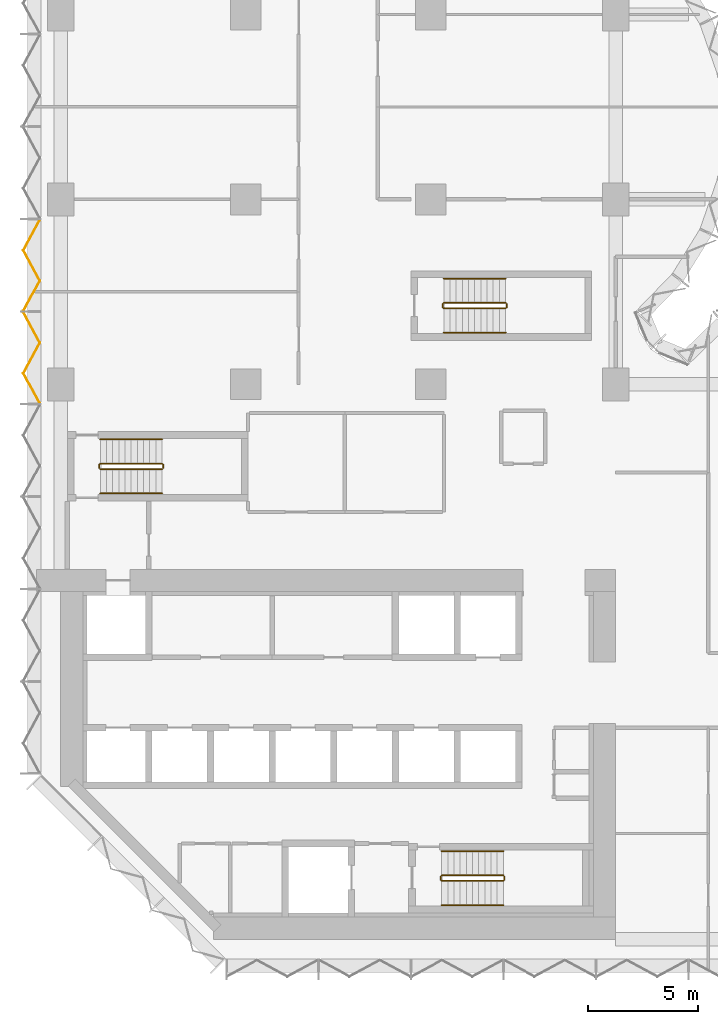
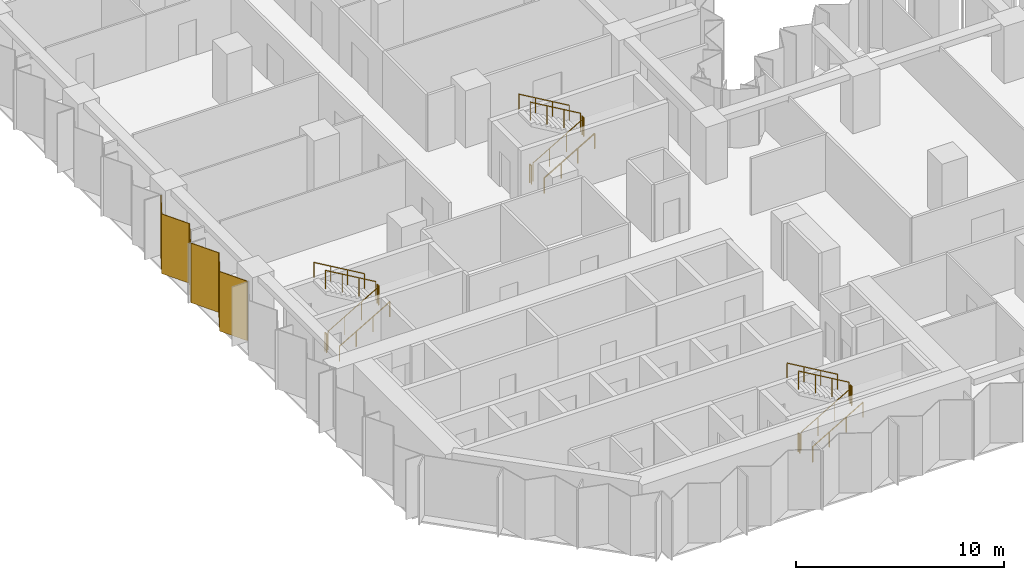
# One storey, part 13 of 15: 18 railings, 2 coverings, 1 element without a shape of its own.
"""IFC4 building model written with IfcOpenShell, lengths in metres."""

from ifc_helpers import new_model, si_unit, direction, frame, origin, origin_2d, place, context, subcontext, project, spatial, polyline, circle, outline, extrude, material, layer, layer_set, type_object, element, aggregate, save


model = new_model("IFC4")

# Units and contexts
model_context = context("Model", 3, precision=1e-05, world=origin(), true_north=direction((0.0, 1.0)))
body_context = subcontext(model_context, "Body", "Model", "MODEL_VIEW")
ifc_project = project(units=[si_unit("LENGTHUNIT", "METRE"), si_unit("AREAUNIT", "SQUARE_METRE"), si_unit("VOLUMEUNIT", "CUBIC_METRE"), si_unit("PLANEANGLEUNIT", "RADIAN"), si_unit("MASSUNIT", "GRAM", prefix="KILO")], contexts=[model_context])

# Site, building, storey
site_placement = place(None, origin())
site = spatial("IfcSite", under=ifc_project, at=site_placement, CompositionType="ELEMENT")
building_placement = place(site_placement, origin())
building = spatial("IfcBuilding", under=site, at=building_placement, Name="Brevane Broadcast Tower", CompositionType="ELEMENT")
storey_placement = place(building_placement, frame((0.0, 0.0, 50.89990234375)))
storey = spatial("IfcBuildingStorey", under=building, at=storey_placement, Name="L10", CompositionType="ELEMENT", Elevation=50.89990234375)

# Railings
ifc_material_1 = material(Name="Steel S355", Category="steel")
railing_type_1 = type_object("IfcRailingType", Name="Exit stair guard", PredefinedType="GUARDRAIL", material=ifc_material_1)
railing_1_placement = place(storey_placement, frame((1.800048828125, 21.35009765625, 0.163818359375)))
element("IfcRailing", 1, at=railing_1_placement, inside=storey, type_object=railing_type_1, Name="L10 ST-1 stair guard 1", PredefinedType="GUARDRAIL", context=body_context, shape_type="SweptSolid", body=[
    extrude(circle(Radius=0.02392578125, at=origin_2d()), frame((0.0, 0.0, 1.076171875), z_axis=(0.863393664356, 0.0, 0.504530851732), x_axis=(0.0, 1.0, 0.0)), (0.0, 0.0, 1.0), 3.2431640625),
    extrude(circle(Radius=0.02099609375, at=origin_2d()), origin(), (0.0, 0.0, 1.0), 1.052001953125),
    extrude(circle(Radius=0.02099609375, at=origin_2d()), frame((0.933349609375, 0.0, 0.54541015625)), (0.0, 0.0, 1.0), 1.052001953125),
    extrude(circle(Radius=0.02099609375, at=origin_2d()), frame((1.86669921875, 0.0, 1.0908203125)), (0.0, 0.0, 1.0), 1.052001953125),
    extrude(circle(Radius=0.02099609375, at=origin_2d()), frame((2.800048828125, 0.0, 1.63623046875)), (0.0, 0.0, 1.0), 1.052001953125),
])
railing_2_placement = place(storey_placement, frame((4.64990234375, 21.39990234375, 1.800048828125)))
element("IfcRailing", 2, at=railing_2_placement, inside=storey, type_object=railing_type_1, Name="L10 ST-1 stair guard 2", PredefinedType="GUARDRAIL", context=body_context, shape_type="SweptSolid", body=[
    extrude(circle(Radius=0.02392578125, at=origin_2d()), frame((0.0, 0.0, 1.076171875), z_axis=(0.0, 1.0, 0.0), x_axis=(-1.0, 0.0, 0.0)), (0.0, 0.0, 1.0), 0.150146484375),
    extrude(circle(Radius=0.02099609375, at=origin_2d()), origin(), (0.0, 0.0, 1.0), 1.052001953125),
    extrude(circle(Radius=0.02099609375, at=origin_2d()), frame((0.0, 0.150146484375, 0.0)), (0.0, 0.0, 1.0), 1.052001953125),
])
railing_3_placement = place(storey_placement, frame((4.60009765625, 21.60009765625, 1.963623046875)))
element("IfcRailing", 3, at=railing_3_placement, inside=storey, type_object=railing_type_1, Name="L10 ST-1 stair guard 3", PredefinedType="GUARDRAIL", context=body_context, shape_type="SweptSolid", body=[
    extrude(circle(Radius=0.02392578125, at=origin_2d()), frame((0.0, 0.0, 1.076171875), z_axis=(-0.863360870873, 0.0, 0.504586966384), x_axis=(0.0, -1.0, 0.0)), (0.0, 0.0, 1.0), 3.2431640625),
    extrude(circle(Radius=0.02099609375, at=origin_2d()), origin(), (0.0, 0.0, 1.0), 1.052001953125),
    extrude(circle(Radius=0.02099609375, at=origin_2d()), frame((-0.933349609375, 0.0, 0.54541015625)), (0.0, 0.0, 1.0), 1.052001953125),
    extrude(circle(Radius=0.02099609375, at=origin_2d()), frame((-1.86669921875, 0.0, 1.091064453125)), (0.0, 0.0, 1.0), 1.052001953125),
    extrude(circle(Radius=0.02099609375, at=origin_2d()), frame((-2.800048828125, 0.0, 1.636474609375)), (0.0, 0.0, 1.0), 1.052001953125),
])
railing_4_placement = place(storey_placement, frame((1.75, 21.39990234375, 0.0)))
element("IfcRailing", 4, at=railing_4_placement, inside=storey, type_object=railing_type_1, Name="L10 ST-1 stair guard 4", PredefinedType="GUARDRAIL", context=body_context, shape_type="SweptSolid", body=[
    extrude(circle(Radius=0.02392578125, at=origin_2d()), frame((0.0, 0.0, 1.076171875), z_axis=(0.0, 1.0, 0.0), x_axis=(-1.0, 0.0, 0.0)), (0.0, 0.0, 1.0), 0.150146484375),
    extrude(circle(Radius=0.02099609375, at=origin_2d()), origin(), (0.0, 0.0, 1.0), 1.052001953125),
    extrude(circle(Radius=0.02099609375, at=origin_2d()), frame((0.0, 0.150146484375, 0.0)), (0.0, 0.0, 1.0), 1.052001953125),
])
railing_5_placement = place(storey_placement, frame((17.300048828125, 2.64990234375, 0.163818359375)))
element("IfcRailing", 5, at=railing_5_placement, inside=storey, type_object=railing_type_1, Name="L10 ST-2 stair guard 1", PredefinedType="GUARDRAIL", context=body_context, shape_type="SweptSolid", body=[
    extrude(circle(Radius=0.02392578125, at=origin_2d()), frame((0.0, 0.0, 1.076171875), z_axis=(0.863393664356, 0.0, 0.504530851732), x_axis=(0.0, 1.0, 0.0)), (0.0, 0.0, 1.0), 3.2431640625),
    extrude(circle(Radius=0.02099609375, at=origin_2d()), origin(), (0.0, 0.0, 1.0), 1.052001953125),
    extrude(circle(Radius=0.02099609375, at=origin_2d()), frame((0.933349609375, 0.0, 0.54541015625)), (0.0, 0.0, 1.0), 1.052001953125),
    extrude(circle(Radius=0.02099609375, at=origin_2d()), frame((1.86669921875, 0.0, 1.0908203125)), (0.0, 0.0, 1.0), 1.052001953125),
    extrude(circle(Radius=0.02099609375, at=origin_2d()), frame((2.800048828125, 0.0, 1.63623046875)), (0.0, 0.0, 1.0), 1.052001953125),
])
railing_6_placement = place(storey_placement, frame((20.14990234375, 2.699951171875, 1.800048828125)))
element("IfcRailing", 6, at=railing_6_placement, inside=storey, type_object=railing_type_1, Name="L10 ST-2 stair guard 2", PredefinedType="GUARDRAIL", context=body_context, shape_type="SweptSolid", body=[
    extrude(circle(Radius=0.02392578125, at=origin_2d()), frame((0.0, 0.0, 1.076171875), z_axis=(0.0, 1.0, 0.0), x_axis=(-1.0, 0.0, 0.0)), (0.0, 0.0, 1.0), 0.150146484375),
    extrude(circle(Radius=0.02099609375, at=origin_2d()), origin(), (0.0, 0.0, 1.0), 1.052001953125),
    extrude(circle(Radius=0.02099609375, at=origin_2d()), frame((0.0, 0.150146484375, 0.0)), (0.0, 0.0, 1.0), 1.052001953125),
])
railing_7_placement = place(storey_placement, frame((20.10009765625, 2.89990234375, 1.963623046875)))
element("IfcRailing", 7, at=railing_7_placement, inside=storey, type_object=railing_type_1, Name="L10 ST-2 stair guard 3", PredefinedType="GUARDRAIL", context=body_context, shape_type="SweptSolid", body=[
    extrude(circle(Radius=0.02392578125, at=origin_2d()), frame((0.0, 0.0, 1.076171875), z_axis=(-0.863360870873, 0.0, 0.504586966384), x_axis=(0.0, -1.0, 0.0)), (0.0, 0.0, 1.0), 3.2431640625),
    extrude(circle(Radius=0.02099609375, at=origin_2d()), origin(), (0.0, 0.0, 1.0), 1.052001953125),
    extrude(circle(Radius=0.02099609375, at=origin_2d()), frame((-0.933349609375, 0.0, 0.54541015625)), (0.0, 0.0, 1.0), 1.052001953125),
    extrude(circle(Radius=0.02099609375, at=origin_2d()), frame((-1.86669921875, 0.0, 1.091064453125)), (0.0, 0.0, 1.0), 1.052001953125),
    extrude(circle(Radius=0.02099609375, at=origin_2d()), frame((-2.800048828125, 0.0, 1.636474609375)), (0.0, 0.0, 1.0), 1.052001953125),
])
railing_8_placement = place(storey_placement, frame((17.25, 2.699951171875, 0.0)))
element("IfcRailing", 8, at=railing_8_placement, inside=storey, type_object=railing_type_1, Name="L10 ST-2 stair guard 4", PredefinedType="GUARDRAIL", context=body_context, shape_type="SweptSolid", body=[
    extrude(circle(Radius=0.02392578125, at=origin_2d()), frame((0.0, 0.0, 1.076171875), z_axis=(0.0, 1.0, 0.0), x_axis=(-1.0, 0.0, 0.0)), (0.0, 0.0, 1.0), 0.150146484375),
    extrude(circle(Radius=0.02099609375, at=origin_2d()), origin(), (0.0, 0.0, 1.0), 1.052001953125),
    extrude(circle(Radius=0.02099609375, at=origin_2d()), frame((0.0, 0.150146484375, 0.0)), (0.0, 0.0, 1.0), 1.052001953125),
])
railing_9_placement = place(storey_placement, frame((17.39990234375, 28.64990234375, 0.163818359375)))
element("IfcRailing", 9, at=railing_9_placement, inside=storey, type_object=railing_type_1, Name="L10 ST-3 stair guard 1", PredefinedType="GUARDRAIL", context=body_context, shape_type="SweptSolid", body=[
    extrude(circle(Radius=0.02392578125, at=origin_2d()), frame((0.0, 0.0, 1.076171875), z_axis=(0.863393664356, 0.0, 0.504530851732), x_axis=(0.0, 1.0, 0.0)), (0.0, 0.0, 1.0), 3.2431640625),
    extrude(circle(Radius=0.02099609375, at=origin_2d()), origin(), (0.0, 0.0, 1.0), 1.052001953125),
    extrude(circle(Radius=0.02099609375, at=origin_2d()), frame((0.933349609375, 0.0, 0.54541015625)), (0.0, 0.0, 1.0), 1.052001953125),
    extrude(circle(Radius=0.02099609375, at=origin_2d()), frame((1.86669921875, 0.0, 1.0908203125)), (0.0, 0.0, 1.0), 1.052001953125),
    extrude(circle(Radius=0.02099609375, at=origin_2d()), frame((2.800048828125, 0.0, 1.63623046875)), (0.0, 0.0, 1.0), 1.052001953125),
])
railing_10_placement = place(storey_placement, frame((20.25, 28.699951171875, 1.800048828125)))
element("IfcRailing", 10, at=railing_10_placement, inside=storey, type_object=railing_type_1, Name="L10 ST-3 stair guard 2", PredefinedType="GUARDRAIL", context=body_context, shape_type="SweptSolid", body=[
    extrude(circle(Radius=0.02392578125, at=origin_2d()), frame((0.0, 0.0, 1.076171875), z_axis=(0.0, 1.0, 0.0), x_axis=(-1.0, 0.0, 0.0)), (0.0, 0.0, 1.0), 0.150146484375),
    extrude(circle(Radius=0.02099609375, at=origin_2d()), origin(), (0.0, 0.0, 1.0), 1.052001953125),
    extrude(circle(Radius=0.02099609375, at=origin_2d()), frame((0.0, 0.150146484375, 0.0)), (0.0, 0.0, 1.0), 1.052001953125),
])
railing_11_placement = place(storey_placement, frame((20.199951171875, 28.89990234375, 1.963623046875)))
element("IfcRailing", 11, at=railing_11_placement, inside=storey, type_object=railing_type_1, Name="L10 ST-3 stair guard 3", PredefinedType="GUARDRAIL", context=body_context, shape_type="SweptSolid", body=[
    extrude(circle(Radius=0.02392578125, at=origin_2d()), frame((0.0, 0.0, 1.076171875), z_axis=(-0.863360870873, 0.0, 0.504586966384), x_axis=(0.0, -1.0, 0.0)), (0.0, 0.0, 1.0), 3.2431640625),
    extrude(circle(Radius=0.02099609375, at=origin_2d()), origin(), (0.0, 0.0, 1.0), 1.052001953125),
    extrude(circle(Radius=0.02099609375, at=origin_2d()), frame((-0.933349609375, 0.0, 0.54541015625)), (0.0, 0.0, 1.0), 1.052001953125),
    extrude(circle(Radius=0.02099609375, at=origin_2d()), frame((-1.86669921875, 0.0, 1.091064453125)), (0.0, 0.0, 1.0), 1.052001953125),
    extrude(circle(Radius=0.02099609375, at=origin_2d()), frame((-2.800048828125, 0.0, 1.636474609375)), (0.0, 0.0, 1.0), 1.052001953125),
])
railing_12_placement = place(storey_placement, frame((17.35009765625, 28.699951171875, 0.0)))
element("IfcRailing", 12, at=railing_12_placement, inside=storey, type_object=railing_type_1, Name="L10 ST-3 stair guard 4", PredefinedType="GUARDRAIL", context=body_context, shape_type="SweptSolid", body=[
    extrude(circle(Radius=0.02392578125, at=origin_2d()), frame((0.0, 0.0, 1.076171875), z_axis=(0.0, 1.0, 0.0), x_axis=(-1.0, 0.0, 0.0)), (0.0, 0.0, 1.0), 0.150146484375),
    extrude(circle(Radius=0.02099609375, at=origin_2d()), origin(), (0.0, 0.0, 1.0), 1.052001953125),
    extrude(circle(Radius=0.02099609375, at=origin_2d()), frame((0.0, 0.150146484375, 0.0)), (0.0, 0.0, 1.0), 1.052001953125),
])
railing_type_2 = type_object("IfcRailingType", Name="Exit stair handrail", PredefinedType="HANDRAIL", material=ifc_material_1)
railing_13_placement = place(storey_placement, frame((1.800048828125, 20.25, 0.163818359375)))
element("IfcRailing", 13, at=railing_13_placement, inside=storey, type_object=railing_type_2, Name="L10 ST-1 stair handrail 1", PredefinedType="HANDRAIL", context=body_context, shape_type="SweptSolid", body=[
    extrude(circle(Radius=0.02392578125, at=origin_2d()), frame((0.0, 0.0, 0.8759765625), z_axis=(0.863393664356, 0.0, 0.504530851732), x_axis=(0.0, 1.0, 0.0)), (0.0, 0.0, 1.0), 3.2431640625),
    extrude(circle(Radius=0.02099609375, at=origin_2d()), origin(), (0.0, 0.0, 1.0), 0.851806640625),
    extrude(circle(Radius=0.02099609375, at=origin_2d()), frame((0.933349609375, 0.0, 0.54541015625)), (0.0, 0.0, 1.0), 0.851806640625),
    extrude(circle(Radius=0.02099609375, at=origin_2d()), frame((1.86669921875, 0.0, 1.0908203125)), (0.0, 0.0, 1.0), 0.851806640625),
    extrude(circle(Radius=0.02099609375, at=origin_2d()), frame((2.800048828125, 0.0, 1.63623046875)), (0.0, 0.0, 1.0), 0.851806640625),
])
railing_14_placement = place(storey_placement, frame((4.60009765625, 22.699951171875, 1.963623046875)))
element("IfcRailing", 14, at=railing_14_placement, inside=storey, type_object=railing_type_2, Name="L10 ST-1 stair handrail 2", PredefinedType="HANDRAIL", context=body_context, shape_type="SweptSolid", body=[
    extrude(circle(Radius=0.02392578125, at=origin_2d()), frame((0.0, 0.0, 0.8759765625), z_axis=(-0.863360870873, 0.0, 0.504586966384), x_axis=(0.0, -1.0, 0.0)), (0.0, 0.0, 1.0), 3.2431640625),
    extrude(circle(Radius=0.02099609375, at=origin_2d()), origin(), (0.0, 0.0, 1.0), 0.851806640625),
    extrude(circle(Radius=0.02099609375, at=origin_2d()), frame((-0.933349609375, 0.0, 0.54541015625)), (0.0, 0.0, 1.0), 0.851806640625),
    extrude(circle(Radius=0.02099609375, at=origin_2d()), frame((-1.86669921875, 0.0, 1.091064453125)), (0.0, 0.0, 1.0), 0.851806640625),
    extrude(circle(Radius=0.02099609375, at=origin_2d()), frame((-2.800048828125, 0.0, 1.636474609375)), (0.0, 0.0, 1.0), 0.851806640625),
])
railing_15_placement = place(storey_placement, frame((17.300048828125, 1.550048828125, 0.163818359375)))
element("IfcRailing", 15, at=railing_15_placement, inside=storey, type_object=railing_type_2, Name="L10 ST-2 stair handrail 1", PredefinedType="HANDRAIL", context=body_context, shape_type="SweptSolid", body=[
    extrude(circle(Radius=0.02392578125, at=origin_2d()), frame((0.0, 0.0, 0.8759765625), z_axis=(0.863393664356, 0.0, 0.504530851732), x_axis=(0.0, 1.0, 0.0)), (0.0, 0.0, 1.0), 3.2431640625),
    extrude(circle(Radius=0.02099609375, at=origin_2d()), origin(), (0.0, 0.0, 1.0), 0.851806640625),
    extrude(circle(Radius=0.02099609375, at=origin_2d()), frame((0.933349609375, 0.0, 0.54541015625)), (0.0, 0.0, 1.0), 0.851806640625),
    extrude(circle(Radius=0.02099609375, at=origin_2d()), frame((1.86669921875, 0.0, 1.0908203125)), (0.0, 0.0, 1.0), 0.851806640625),
    extrude(circle(Radius=0.02099609375, at=origin_2d()), frame((2.800048828125, 0.0, 1.63623046875)), (0.0, 0.0, 1.0), 0.851806640625),
])
railing_16_placement = place(storey_placement, frame((20.10009765625, 4.0, 1.963623046875)))
element("IfcRailing", 16, at=railing_16_placement, inside=storey, type_object=railing_type_2, Name="L10 ST-2 stair handrail 2", PredefinedType="HANDRAIL", context=body_context, shape_type="SweptSolid", body=[
    extrude(circle(Radius=0.02392578125, at=origin_2d()), frame((0.0, 0.0, 0.8759765625), z_axis=(-0.863360870873, 0.0, 0.504586966384), x_axis=(0.0, -1.0, 0.0)), (0.0, 0.0, 1.0), 3.2431640625),
    extrude(circle(Radius=0.02099609375, at=origin_2d()), origin(), (0.0, 0.0, 1.0), 0.851806640625),
    extrude(circle(Radius=0.02099609375, at=origin_2d()), frame((-0.933349609375, 0.0, 0.54541015625)), (0.0, 0.0, 1.0), 0.851806640625),
    extrude(circle(Radius=0.02099609375, at=origin_2d()), frame((-1.86669921875, 0.0, 1.091064453125)), (0.0, 0.0, 1.0), 0.851806640625),
    extrude(circle(Radius=0.02099609375, at=origin_2d()), frame((-2.800048828125, 0.0, 1.636474609375)), (0.0, 0.0, 1.0), 0.851806640625),
])
railing_17_placement = place(storey_placement, frame((17.39990234375, 27.550048828125, 0.163818359375)))
element("IfcRailing", 17, at=railing_17_placement, inside=storey, type_object=railing_type_2, Name="L10 ST-3 stair handrail 1", PredefinedType="HANDRAIL", context=body_context, shape_type="SweptSolid", body=[
    extrude(circle(Radius=0.02392578125, at=origin_2d()), frame((0.0, 0.0, 0.8759765625), z_axis=(0.863393664356, 0.0, 0.504530851732), x_axis=(0.0, 1.0, 0.0)), (0.0, 0.0, 1.0), 3.2431640625),
    extrude(circle(Radius=0.02099609375, at=origin_2d()), origin(), (0.0, 0.0, 1.0), 0.851806640625),
    extrude(circle(Radius=0.02099609375, at=origin_2d()), frame((0.933349609375, 0.0, 0.54541015625)), (0.0, 0.0, 1.0), 0.851806640625),
    extrude(circle(Radius=0.02099609375, at=origin_2d()), frame((1.86669921875, 0.0, 1.0908203125)), (0.0, 0.0, 1.0), 0.851806640625),
    extrude(circle(Radius=0.02099609375, at=origin_2d()), frame((2.800048828125, 0.0, 1.63623046875)), (0.0, 0.0, 1.0), 0.851806640625),
])
railing_18_placement = place(storey_placement, frame((20.199951171875, 30.0, 1.963623046875)))
element("IfcRailing", 18, at=railing_18_placement, inside=storey, type_object=railing_type_2, Name="L10 ST-3 stair handrail 2", PredefinedType="HANDRAIL", context=body_context, shape_type="SweptSolid", body=[
    extrude(circle(Radius=0.02392578125, at=origin_2d()), frame((0.0, 0.0, 0.8759765625), z_axis=(-0.863360870873, 0.0, 0.504586966384), x_axis=(0.0, -1.0, 0.0)), (0.0, 0.0, 1.0), 3.2431640625),
    extrude(circle(Radius=0.02099609375, at=origin_2d()), origin(), (0.0, 0.0, 1.0), 0.851806640625),
    extrude(circle(Radius=0.02099609375, at=origin_2d()), frame((-0.933349609375, 0.0, 0.54541015625)), (0.0, 0.0, 1.0), 0.851806640625),
    extrude(circle(Radius=0.02099609375, at=origin_2d()), frame((-1.86669921875, 0.0, 1.091064453125)), (0.0, 0.0, 1.0), 0.851806640625),
    extrude(circle(Radius=0.02099609375, at=origin_2d()), frame((-2.800048828125, 0.0, 1.636474609375)), (0.0, 0.0, 1.0), 0.851806640625),
])

# Curtain wall, coverings
ifc_material_2 = material(Name="Aluminium 6063-T6 bronze anodised", Category="aluminium")
curtain_wall_type = type_object("IfcCurtainWallType", Name="CW-1 curtain wall", PredefinedType="NOTDEFINED", material=ifc_material_2)
curtain_wall_placement = place(storey_placement, origin())
curtain_wall = element("IfcCurtainWall", 19, at=curtain_wall_placement, inside=storey, type_object=curtain_wall_type, Name="CW-1 typical tilted unit L10 west face", PredefinedType="NOTDEFINED")
ifc_material_3 = material(Name="Back-painted bronze glass shadow-box", Category="glass")
ifc_layer = layer(ifc_material_3, 0.0400390625)
ifc_layer_set = layer_set([ifc_layer], Name="Shadow-box panel 40")
covering_type = type_object("IfcCoveringType", Name="Shadow-box panel 40", PredefinedType="CLADDING", material=ifc_layer_set)
covering_1_placement = place(storey_placement, frame((0.0, 0.0, -0.14990234375)))
covering_1 = element("IfcCovering", 20, at=covering_1_placement, type_object=covering_type, Name="Shadow-box panel", PredefinedType="CLADDING", context=body_context, shape_type="SweptSolid", body=[
    extrude(outline(polyline([(-0.92724609375, 32.6650390625), (-0.97265625, 32.6650390625), (-1.717041015625, 31.288330078125), (-0.97265625, 29.91162109375), (-1.717041015625, 28.534912109375), (-1.671630859375, 28.534912109375), (-0.92724609375, 29.91162109375), (-1.671630859375, 31.288330078125), (-0.92724609375, 32.6650390625)])), origin(), (0.0, 0.0, 1.0), 3.5),
])
covering_2_placement = place(storey_placement, frame((0.0, 0.0, -0.14990234375)))
covering_2 = element("IfcCovering", 21, at=covering_2_placement, type_object=covering_type, Name="Shadow-box panel", PredefinedType="CLADDING", context=body_context, shape_type="SweptSolid", body=[
    extrude(outline(polyline([(-1.671630859375, 28.465087890625), (-1.717041015625, 28.465087890625), (-0.97265625, 27.08837890625), (-1.717041015625, 25.711669921875), (-0.97265625, 24.3349609375), (-0.92724609375, 24.3349609375), (-1.671630859375, 25.711669921875), (-0.92724609375, 27.08837890625), (-1.671630859375, 28.465087890625)])), origin(), (0.0, 0.0, 1.0), 3.5),
])
aggregate(curtain_wall, [covering_1, covering_2])

save(model, "model.ifc")
